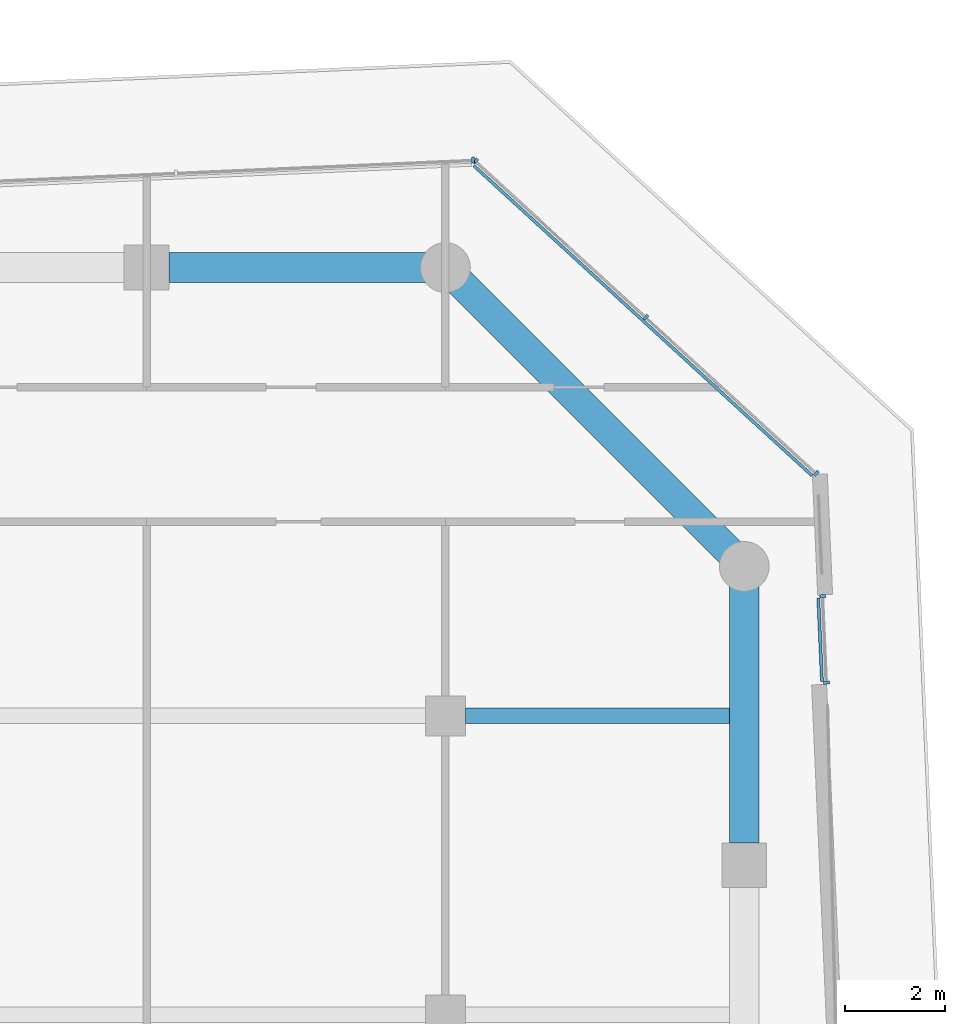
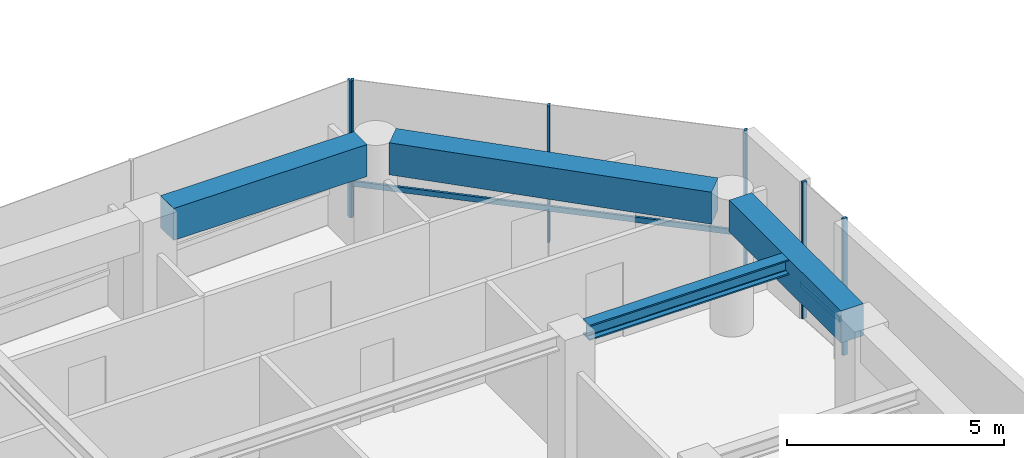
# One storey, part 9 of 24: 8 members, 4 beams, 3 elements without a shape of their own.
"""IFC4 building model written with IfcOpenShell, lengths in metres."""

import ifcopenshell
import ifcopenshell.guid

model = None  # the IFC model being written
_history = None  # IfcOwnerHistory: only IFC2X3 demands one
_inside = {}  # id of a spatial element -> (the spatial element, [elements in it])
_under = {}  # id of a project, library or spatial element -> (it, [spatial elements below it])
_declared = {}  # id of a project -> (the project, [libraries it declares])
_typed = {}  # id of a type object -> (the type object, [elements of that type])
_made_of = {}  # id of a material, layer set ... -> (it, [elements and type objects made of it])


def new_model(schema):
    """Start an empty IFC model of exactly this schema.

    Asked for "IFC4X3", IfcOpenShell would pick the latest addendum, in which some entities
    have other attributes; the version numbers below select the first issue.
    IFC2X3 requires an IfcOwnerHistory on every rooted entity: one is made here for all.
    """
    global model, _history
    if schema == "IFC4X3":
        model = ifcopenshell.file(schema_version=(4, 3, 0, 0))
    else:
        model = ifcopenshell.file(schema=schema)
    _inside.clear()
    _under.clear()
    _declared.clear()
    _typed.clear()
    _made_of.clear()
    _history = None
    if model.schema == "IFC2X3":
        org = make("IfcOrganization", Name="unknown")
        user = make(
            "IfcPersonAndOrganization",
            ThePerson=make("IfcPerson", FamilyName="unknown"),
            TheOrganization=org,
        )
        app = make(
            "IfcApplication",
            ApplicationDeveloper=org,
            Version="unknown",
            ApplicationFullName="unknown",
            ApplicationIdentifier="unknown",
        )
        _history = make(
            "IfcOwnerHistory",
            OwningUser=user,
            OwningApplication=app,
            ChangeAction="ADDED",
            CreationDate=0,
        )
    return model


def make(cls, **values):
    """One entity of the class cls with the attributes given. An attribute that is None is left unset."""
    return model.create_entity(
        cls, **{name: value for name, value in values.items() if value is not None}
    )


def rooted(cls, **values):
    """An entity with a GlobalId (a new one), such as an element, a storey or a relation."""
    return make(cls, GlobalId=ifcopenshell.guid.new(), OwnerHistory=_history, **values)


def si_unit(unit_type, name, prefix=None):
    """IfcSIUnit, for example si_unit("LENGTHUNIT", "METRE", prefix="MILLI")."""
    return make("IfcSIUnit", UnitType=unit_type, Prefix=prefix, Name=name)


def assignment(units):
    """IfcUnitAssignment: the units of a project."""
    return None if units is None else make("IfcUnitAssignment", Units=units)


def point(xyz):
    """IfcCartesianPoint."""
    return None if xyz is None else make("IfcCartesianPoint", Coordinates=xyz)


def direction(xyz):
    """IfcDirection."""
    return None if xyz is None else make("IfcDirection", DirectionRatios=xyz)


def frame(location, z_axis=None, x_axis=None):
    """IfcAxis2Placement3D, a coordinate frame: its origin and axes. An axis left out is left unset."""
    return make(
        "IfcAxis2Placement3D",
        Location=point(location),
        Axis=direction(z_axis),
        RefDirection=direction(x_axis),
    )


def frame_2d(location, x_axis=None):
    """IfcAxis2Placement2D, a coordinate frame in the plane: its origin and x axis."""
    return make(
        "IfcAxis2Placement2D", Location=point(location), RefDirection=direction(x_axis)
    )


def origin():
    """The frame at (0, 0, 0) with its axes left unset."""
    return frame((0.0, 0.0, 0.0))


def origin_2d():
    """The frame at (0, 0) in the plane with its x axis left unset."""
    return frame_2d((0.0, 0.0))


def place(relative_to, where):
    """IfcLocalPlacement: puts the frame where relative to a parent placement (None: the world)."""
    return make(
        "IfcLocalPlacement", PlacementRelTo=relative_to, RelativePlacement=where
    )


def context(
    kind, dimensions, precision=None, world=None, true_north=None, identifier=None
):
    """IfcGeometricRepresentationContext, for example the 3D "Model" context."""
    return make(
        "IfcGeometricRepresentationContext",
        ContextIdentifier=identifier,
        ContextType=kind,
        CoordinateSpaceDimension=dimensions,
        Precision=precision,
        WorldCoordinateSystem=world,
        TrueNorth=true_north,
    )


def subcontext(parent, identifier, kind, view, scale=None):
    """IfcGeometricRepresentationSubContext, for example "Body" below "Model"."""
    return make(
        "IfcGeometricRepresentationSubContext",
        ContextIdentifier=identifier,
        ContextType=kind,
        ParentContext=parent,
        TargetScale=scale,
        TargetView=view,
    )


def project(units=None, contexts=None):
    """IfcProject with its units and contexts."""
    return rooted(
        "IfcProject",
        Name="project",
        RepresentationContexts=contexts,
        UnitsInContext=assignment(units),
    )


def spatial(cls, under=None, at=None, **own):
    """A site, building, storey or space (cls), placed at a placement, below another one or the project."""
    s = rooted(cls, ObjectPlacement=at, **own)
    if under is not None:
        _under.setdefault(under.id(), (under, []))[1].append(s)
    return s


def profile(cls, at=None, kind="AREA", **sizes):
    """A parametric profile (cls). Its sizes go by their IFC names, for example OverallWidth=200.0."""
    return make(cls, ProfileType=kind, Position=at, **sizes)


def rectangle(**sizes):
    """IfcRectangleProfileDef."""
    return profile("IfcRectangleProfileDef", **sizes)


def i_section(**sizes):
    """IfcIShapeProfileDef."""
    return profile("IfcIShapeProfileDef", **sizes)


def extrude(swept, where, along, depth):
    """IfcExtrudedAreaSolid: the profile swept, set in the frame where, extruded along a direction by depth."""
    return make(
        "IfcExtrudedAreaSolid",
        SweptArea=swept,
        Position=where,
        ExtrudedDirection=direction(along),
        Depth=depth,
    )


def shape(context_of_items, identifier, shape_type, items):
    """IfcShapeRepresentation: the items that make up one representation, for example the "Body"."""
    return make(
        "IfcShapeRepresentation",
        ContextOfItems=context_of_items,
        RepresentationIdentifier=identifier,
        RepresentationType=shape_type,
        Items=items,
    )


def material(Name=None, Category=None):
    """IfcMaterial."""
    return make("IfcMaterial", Name=Name, Category=Category)


def layer(
    of_material, thickness, ventilated=None, Name=None, Category=None, Priority=None
):
    """IfcMaterialLayer: one layer of a wall or slab, of a material (None: an air gap)."""
    return make(
        "IfcMaterialLayer",
        Material=of_material,
        LayerThickness=thickness,
        IsVentilated=ventilated,
        Name=Name,
        Category=Category,
        Priority=Priority,
    )


def layer_set(layers, Name=None):
    """IfcMaterialLayerSet."""
    return make("IfcMaterialLayerSet", MaterialLayers=layers, LayerSetName=Name)


def material_profile(
    of_material, cross_section, Name=None, Category=None, Priority=None
):
    """IfcMaterialProfile: a cross section and its material."""
    return make(
        "IfcMaterialProfile",
        Name=Name,
        Material=of_material,
        Profile=cross_section,
        Priority=Priority,
        Category=Category,
    )


def profile_set(profiles, Name=None, composite=None):
    """IfcMaterialProfileSet."""
    return make(
        "IfcMaterialProfileSet",
        Name=Name,
        MaterialProfiles=profiles,
        CompositeProfile=composite,
    )


def made_of(thing, what):
    """Note that an element or type object is made of a material, layer set ...; save() writes the relation."""
    if what is not None:
        _made_of.setdefault(what.id(), (what, []))[1].append(thing)
    return thing


def type_object(cls, material=None, **own):
    """A type object (cls), such as IfcWallType, which elements share."""
    return made_of(rooted(cls, **own), material)


def element(
    cls,
    number,
    at=None,
    inside=None,
    cuts=None,
    type_object=None,
    material=None,
    context=None,
    identifier="Body",
    shape_type=None,
    held_by="IfcProductDefinitionShape",
    body=None,
    shapes=None,
    **own,
):
    """One element of the class cls, such as IfcWall. Its Tag is "e" and its number.

    at: its placement. inside: the storey or other place that contains it. cuts: it is an
    opening in that element (IfcRelVoidsElement). A single representation is given by context,
    identifier, shape_type and body (its items); several are given by shapes. held_by: the class
    of the entity that holds the representations. save() writes the other relations.
    """
    e = rooted(cls, Tag="e%d" % number, ObjectPlacement=at, **own)
    if body is not None:
        shapes = [shape(context, identifier, shape_type, body)]
    if shapes is not None:
        e.Representation = make(held_by, Representations=shapes)
    if inside is not None:
        _inside.setdefault(inside.id(), (inside, []))[1].append(e)
    if cuts is not None:
        rooted(
            "IfcRelVoidsElement", RelatingBuildingElement=cuts, RelatedOpeningElement=e
        )
    if type_object is not None:
        _typed.setdefault(type_object.id(), (type_object, []))[1].append(e)
    return made_of(e, material)


def aggregate(whole, parts):
    """IfcRelAggregates: a whole, such as a stair, and the parts it consists of."""
    return rooted("IfcRelAggregates", RelatingObject=whole, RelatedObjects=parts)


def save(model, path):
    """Write the relations noted so far, then the file.

    IfcRelAggregates (storeys below a building ...), IfcRelContainedInSpatialStructure (elements
    in a storey), IfcRelDefinesByType, IfcRelAssociatesMaterial and IfcRelDeclares: one each for
    every whole, place, type object, material and project.
    """
    for whole, parts in _under.values():
        aggregate(whole, parts)
    for where, things in _inside.values():
        rooted(
            "IfcRelContainedInSpatialStructure",
            RelatedElements=things,
            RelatingStructure=where,
        )
    for kind, things in _typed.values():
        rooted("IfcRelDefinesByType", RelatedObjects=things, RelatingType=kind)
    for what, things in _made_of.values():
        rooted("IfcRelAssociatesMaterial", RelatedObjects=things, RelatingMaterial=what)
    for by, libraries in _declared.values():
        rooted("IfcRelDeclares", RelatingContext=by, RelatedDefinitions=libraries)
    model.write(path)


model = new_model("IFC4")

# Units and contexts
model_context = context("Model", 3, precision=1e-05, world=origin(), true_north=direction((0.0, 1.0)))
body_context = subcontext(model_context, "Body", "Model", "MODEL_VIEW")
ifc_project = project(units=[si_unit("LENGTHUNIT", "METRE"), si_unit("AREAUNIT", "SQUARE_METRE"), si_unit("VOLUMEUNIT", "CUBIC_METRE"), si_unit("PLANEANGLEUNIT", "RADIAN"), si_unit("MASSUNIT", "GRAM", prefix="KILO")], contexts=[model_context])

# Site, building, storey
site_placement = place(None, origin())
site = spatial("IfcSite", under=ifc_project, at=site_placement, CompositionType="ELEMENT")
building_placement = place(site_placement, origin())
building = spatial("IfcBuilding", under=site, at=building_placement, Name="Welwitschia Terrace Campus", CompositionType="ELEMENT")
storey_placement = place(building_placement, frame((0.0, 0.0, 100.39990234375)))
storey = spatial("IfcBuildingStorey", under=building, at=storey_placement, Name="L22", CompositionType="ELEMENT", Elevation=100.39990234375)

# Beam
ifc_material_1 = material(Name="Steel S355", Category="steel")
ifc_material_profile_1 = material_profile(ifc_material_1, i_section(OverallWidth=0.306884765625, OverallDepth=0.431884765625, WebThickness=0.02099609375, FlangeThickness=0.0400390625, FilletRadius=0.027099609375, at=origin_2d()))
ifc_profile_set_1 = profile_set([ifc_material_profile_1], Name="Steel S355")
beam_type_1 = type_object("IfcBeamType", Name="Interior girder HE 400 M", PredefinedType="BEAM", material=ifc_profile_set_1)
beam_1_placement = place(storey_placement, frame((48.400390625, 19.0, 3.634033203125), z_axis=(1.0, 0.0, 0.0), x_axis=(0.0, 1.0, 0.0)))
element("IfcBeam", 1, at=beam_1_placement, inside=storey, type_object=beam_type_1, Name="Girder GB3", PredefinedType="BEAM", context=body_context, shape_type="SweptSolid", body=[
    extrude(i_section(OverallWidth=0.306884765625, OverallDepth=0.431884765625, WebThickness=0.02099609375, FlangeThickness=0.0400390625, FilletRadius=0.027099609375, at=origin_2d()), origin(), (0.0, 0.0, 1.0), 5.609619140625),
])

# Curtain wall, members
ifc_material_2 = material(Name="Bronze anodised aluminium", Category="aluminium")
ifc_layer = layer(ifc_material_2, 0.1201171875)
ifc_layer_set = layer_set([ifc_layer], Name="Bronze anodised aluminium")
curtain_wall_type = type_object("IfcCurtainWallType", Name="Curtain wall CW2 tower 6000", PredefinedType="NOTDEFINED", material=ifc_layer_set)
curtain_wall_1_placement = place(storey_placement, origin())
curtain_wall_1 = element("IfcCurtainWall", 2, at=curtain_wall_1_placement, inside=storey, type_object=curtain_wall_type, Name="CW L22.5.S0", PredefinedType="NOTDEFINED")
ifc_material_3 = material(Name="Bronze anodised aluminium", Category="aluminium")
ifc_material_profile_2 = material_profile(ifc_material_3, rectangle(XDim=0.1201171875, YDim=0.06005859375, at=origin_2d()))
ifc_profile_set_2 = profile_set([ifc_material_profile_2], Name="Bronze anodised aluminium")
member_type_1 = type_object("IfcMemberType", Name="Mullion 60x120", PredefinedType="MULLION", material=ifc_profile_set_2)
member_1_placement = place(storey_placement, frame((55.65087890625, 19.66455078125, 0.0), z_axis=(0.0, 0.0, 1.0), x_axis=(-0.999048221582, -0.043619387365, 0.0)))
member_1 = element("IfcMember", 3, at=member_1_placement, type_object=member_type_1, Name="Mullion L22.5.S0.0", PredefinedType="MULLION", context=body_context, shape_type="SweptSolid", body=[
    extrude(rectangle(XDim=0.1201171875, YDim=0.06005859375, at=origin_2d()), origin(), (0.0, 0.0, 1.0), 3.85009765625),
])
member_2_placement = place(storey_placement, frame((55.574951171875, 21.40283203125, 0.0), z_axis=(0.0, 0.0, 1.0), x_axis=(-0.999048221582, -0.043619387365, 0.0)))
member_2 = element("IfcMember", 4, at=member_2_placement, type_object=member_type_1, Name="Mullion L22.5.S0.1", PredefinedType="MULLION", context=body_context, shape_type="SweptSolid", body=[
    extrude(rectangle(XDim=0.1201171875, YDim=0.06005859375, at=origin_2d()), origin(), (0.0, 0.0, 1.0), 3.85009765625),
])

curtain_wall_2_placement = place(storey_placement, origin())
curtain_wall_2 = element("IfcCurtainWall", 5, at=curtain_wall_2_placement, inside=storey, type_object=curtain_wall_type, Name="CW L22.6.0", PredefinedType="NOTDEFINED")
member_3_placement = place(storey_placement, frame((55.446044921875, 23.8681640625, 0.0), z_axis=(0.0, 0.0, 1.0), x_axis=(-0.675590207616, -0.73727733681, 0.0)))
member_3 = element("IfcMember", 6, at=member_3_placement, type_object=member_type_1, Name="Mullion L22.6.0.0", PredefinedType="MULLION", context=body_context, shape_type="SweptSolid", body=[
    extrude(rectangle(XDim=0.1201171875, YDim=0.06005859375, at=origin_2d()), origin(), (0.0, 0.0, 1.0), 3.85009765625),
])
member_4_placement = place(storey_placement, frame((52.025634765625, 27.00244140625, 0.0), z_axis=(0.0, 0.0, 1.0), x_axis=(-0.675590207616, -0.73727733681, 0.0)))
member_4 = element("IfcMember", 7, at=member_4_placement, type_object=member_type_1, Name="Mullion L22.6.0.1", PredefinedType="MULLION", context=body_context, shape_type="SweptSolid", body=[
    extrude(rectangle(XDim=0.1201171875, YDim=0.06005859375, at=origin_2d()), origin(), (0.0, 0.0, 1.0), 3.85009765625),
])
member_5_placement = place(storey_placement, frame((48.605224609375, 30.13671875, 0.0), z_axis=(0.0, 0.0, 1.0), x_axis=(-0.675590207616, -0.73727733681, 0.0)))
member_5 = element("IfcMember", 8, at=member_5_placement, type_object=member_type_1, Name="Mullion L22.6.0.2", PredefinedType="MULLION", context=body_context, shape_type="SweptSolid", body=[
    extrude(rectangle(XDim=0.1201171875, YDim=0.06005859375, at=origin_2d()), origin(), (0.0, 0.0, 1.0), 3.85009765625),
])

# Curtain wall, member
curtain_wall_3_placement = place(storey_placement, origin())
curtain_wall_3 = element("IfcCurtainWall", 9, at=curtain_wall_3_placement, inside=storey, type_object=curtain_wall_type, Name="CW L22.7.0", PredefinedType="NOTDEFINED")
member_6_placement = place(storey_placement, frame((48.55322265625, 30.15576171875, 0.0), z_axis=(0.0, 0.0, 1.0), x_axis=(0.043619387365, -0.999048221582, 0.0)))
member_6 = element("IfcMember", 10, at=member_6_placement, type_object=member_type_1, Name="Mullion L22.7.0.0", PredefinedType="MULLION", context=body_context, shape_type="SweptSolid", body=[
    extrude(rectangle(XDim=0.1201171875, YDim=0.06005859375, at=origin_2d()), origin(), (0.0, 0.0, 1.0), 3.85009765625),
])
aggregate(curtain_wall_3, [member_6])

# Beams
ifc_material_4 = material(Name="Concrete C60/75", Category="concrete")
ifc_material_profile_3 = material_profile(ifc_material_4, rectangle(XDim=0.60009765625, YDim=0.89990234375, at=origin_2d()))
ifc_profile_set_3 = profile_set([ifc_material_profile_3], Name="Concrete C60/75")
beam_type_2 = type_object("IfcBeamType", Name="Ring spandrel 600x900", PredefinedType="SPANDREL", material=ifc_profile_set_3)
beam_2_placement = place(storey_placement, frame((54.0, 16.450439453125, 3.400146484375), z_axis=(0.0, 1.0, 0.0), x_axis=(-1.0, 0.0, 0.0)))
element("IfcBeam", 11, at=beam_2_placement, inside=storey, type_object=beam_type_2, Name="Spandrel SP2", PredefinedType="SPANDREL", context=body_context, shape_type="SweptSolid", body=[
    extrude(rectangle(XDim=0.60009765625, YDim=0.89990234375, at=origin_2d()), origin(), (0.0, 0.0, 1.0), 5.149169921875),
])
beam_3_placement = place(storey_placement, frame((53.716796875, 22.283203125, 3.400146484375), z_axis=(-0.707106781187, 0.707106781187, 0.0), x_axis=(-0.707106781187, -0.707106781187, 0.0)))
element("IfcBeam", 12, at=beam_3_placement, inside=storey, type_object=beam_type_2, Name="Spandrel SP2", PredefinedType="SPANDREL", context=body_context, shape_type="SweptSolid", body=[
    extrude(rectangle(XDim=0.60009765625, YDim=0.89990234375, at=origin_2d()), origin(), (0.0, 0.0, 1.0), 7.684326171875),
])
beam_4_placement = place(storey_placement, frame((47.599609375, 28.0, 3.400146484375), z_axis=(-1.0, 0.0, 0.0), x_axis=(0.0, -1.0, 0.0)))
element("IfcBeam", 13, at=beam_4_placement, inside=storey, type_object=beam_type_2, Name="Spandrel SP2", PredefinedType="SPANDREL", context=body_context, shape_type="SweptSolid", body=[
    extrude(rectangle(XDim=0.60009765625, YDim=0.89990234375, at=origin_2d()), origin(), (0.0, 0.0, 1.0), 5.149169921875),
])

# Member
ifc_material_5 = material(Name="Bronze anodised aluminium", Category="aluminium")
ifc_material_profile_4 = material_profile(ifc_material_5, rectangle(XDim=0.06005859375, YDim=0.14990234375, at=origin_2d()))
ifc_profile_set_4 = profile_set([ifc_material_profile_4], Name="Bronze anodised aluminium")
member_type_2 = type_object("IfcMemberType", Name="Transom 60x150", PredefinedType="USERDEFINED", material=ifc_profile_set_4)
member_7_placement = place(storey_placement, frame((55.559814453125, 19.6904296875, 1.0), z_axis=(-0.043739916874, 0.999042951865, 0.0), x_axis=(-0.999042951865, -0.043739916874, 0.0)))
member_7 = element("IfcMember", 14, at=member_7_placement, type_object=member_type_2, Name="Transom L22.5.S0", ObjectType="TRANSOM", PredefinedType="USERDEFINED", context=body_context, shape_type="SweptSolid", body=[
    extrude(rectangle(XDim=0.06005859375, YDim=0.14990234375, at=origin_2d()), origin(), (0.0, 0.0, 1.0), 1.68017578125),
])

aggregate(curtain_wall_1, [member_1, member_2, member_7])

member_8_placement = place(storey_placement, frame((55.36328125, 23.822265625, 1.0), z_axis=(-0.737287145388, 0.675579503276, 0.0), x_axis=(-0.675579503276, -0.737287145388, 0.0)))
member_8 = element("IfcMember", 15, at=member_8_placement, type_object=member_type_2, Name="Transom L22.6.0", ObjectType="TRANSOM", PredefinedType="USERDEFINED", context=body_context, shape_type="SweptSolid", body=[
    extrude(rectangle(XDim=0.06005859375, YDim=0.14990234375, at=origin_2d()), origin(), (0.0, 0.0, 1.0), 9.218505859375),
])

aggregate(curtain_wall_2, [member_3, member_4, member_5, member_8])

save(model, "model.ifc")
